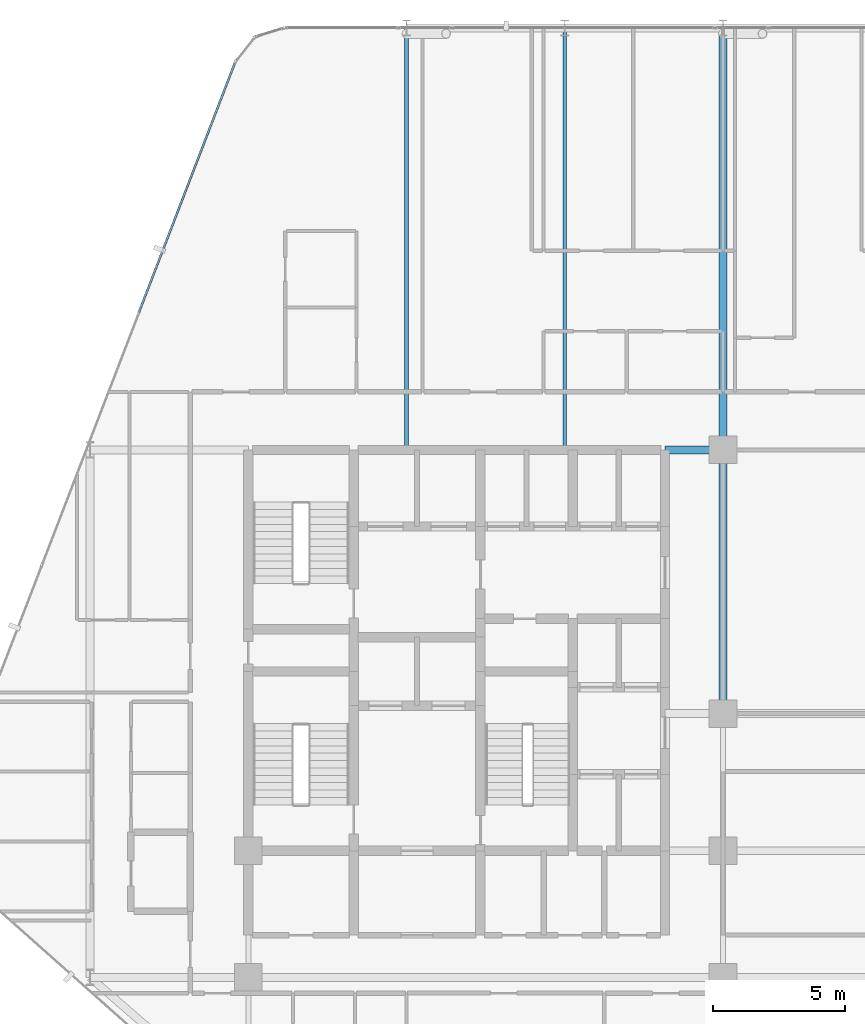
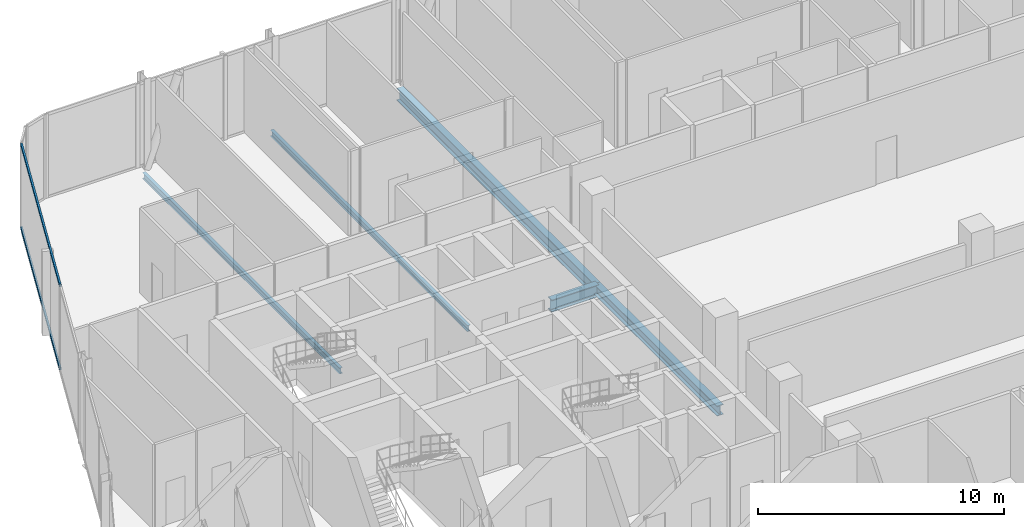
# One storey, part 13 of 30: 5 beams, 2 members, 1 element without a shape of its own.
"""IFC4 building model written with IfcOpenShell, lengths in metres."""

import ifcopenshell
import ifcopenshell.guid

model = None  # the IFC model being written
_history = None  # IfcOwnerHistory: only IFC2X3 demands one
_inside = {}  # id of a spatial element -> (the spatial element, [elements in it])
_under = {}  # id of a project, library or spatial element -> (it, [spatial elements below it])
_declared = {}  # id of a project -> (the project, [libraries it declares])
_typed = {}  # id of a type object -> (the type object, [elements of that type])
_made_of = {}  # id of a material, layer set ... -> (it, [elements and type objects made of it])


def new_model(schema):
    """Start an empty IFC model of exactly this schema.

    Asked for "IFC4X3", IfcOpenShell would pick the latest addendum, in which some entities
    have other attributes; the version numbers below select the first issue.
    IFC2X3 requires an IfcOwnerHistory on every rooted entity: one is made here for all.
    """
    global model, _history
    if schema == "IFC4X3":
        model = ifcopenshell.file(schema_version=(4, 3, 0, 0))
    else:
        model = ifcopenshell.file(schema=schema)
    _inside.clear()
    _under.clear()
    _declared.clear()
    _typed.clear()
    _made_of.clear()
    _history = None
    if model.schema == "IFC2X3":
        org = make("IfcOrganization", Name="unknown")
        user = make(
            "IfcPersonAndOrganization",
            ThePerson=make("IfcPerson", FamilyName="unknown"),
            TheOrganization=org,
        )
        app = make(
            "IfcApplication",
            ApplicationDeveloper=org,
            Version="unknown",
            ApplicationFullName="unknown",
            ApplicationIdentifier="unknown",
        )
        _history = make(
            "IfcOwnerHistory",
            OwningUser=user,
            OwningApplication=app,
            ChangeAction="ADDED",
            CreationDate=0,
        )
    return model


def make(cls, **values):
    """One entity of the class cls with the attributes given. An attribute that is None is left unset."""
    return model.create_entity(
        cls, **{name: value for name, value in values.items() if value is not None}
    )


def rooted(cls, **values):
    """An entity with a GlobalId (a new one), such as an element, a storey or a relation."""
    return make(cls, GlobalId=ifcopenshell.guid.new(), OwnerHistory=_history, **values)


def si_unit(unit_type, name, prefix=None):
    """IfcSIUnit, for example si_unit("LENGTHUNIT", "METRE", prefix="MILLI")."""
    return make("IfcSIUnit", UnitType=unit_type, Prefix=prefix, Name=name)


def assignment(units):
    """IfcUnitAssignment: the units of a project."""
    return None if units is None else make("IfcUnitAssignment", Units=units)


def point(xyz):
    """IfcCartesianPoint."""
    return None if xyz is None else make("IfcCartesianPoint", Coordinates=xyz)


def direction(xyz):
    """IfcDirection."""
    return None if xyz is None else make("IfcDirection", DirectionRatios=xyz)


def frame(location, z_axis=None, x_axis=None):
    """IfcAxis2Placement3D, a coordinate frame: its origin and axes. An axis left out is left unset."""
    return make(
        "IfcAxis2Placement3D",
        Location=point(location),
        Axis=direction(z_axis),
        RefDirection=direction(x_axis),
    )


def frame_2d(location, x_axis=None):
    """IfcAxis2Placement2D, a coordinate frame in the plane: its origin and x axis."""
    return make(
        "IfcAxis2Placement2D", Location=point(location), RefDirection=direction(x_axis)
    )


def origin():
    """The frame at (0, 0, 0) with its axes left unset."""
    return frame((0.0, 0.0, 0.0))


def origin_2d():
    """The frame at (0, 0) in the plane with its x axis left unset."""
    return frame_2d((0.0, 0.0))


def place(relative_to, where):
    """IfcLocalPlacement: puts the frame where relative to a parent placement (None: the world)."""
    return make(
        "IfcLocalPlacement", PlacementRelTo=relative_to, RelativePlacement=where
    )


def context(
    kind, dimensions, precision=None, world=None, true_north=None, identifier=None
):
    """IfcGeometricRepresentationContext, for example the 3D "Model" context."""
    return make(
        "IfcGeometricRepresentationContext",
        ContextIdentifier=identifier,
        ContextType=kind,
        CoordinateSpaceDimension=dimensions,
        Precision=precision,
        WorldCoordinateSystem=world,
        TrueNorth=true_north,
    )


def subcontext(parent, identifier, kind, view, scale=None):
    """IfcGeometricRepresentationSubContext, for example "Body" below "Model"."""
    return make(
        "IfcGeometricRepresentationSubContext",
        ContextIdentifier=identifier,
        ContextType=kind,
        ParentContext=parent,
        TargetScale=scale,
        TargetView=view,
    )


def project(units=None, contexts=None):
    """IfcProject with its units and contexts."""
    return rooted(
        "IfcProject",
        Name="project",
        RepresentationContexts=contexts,
        UnitsInContext=assignment(units),
    )


def spatial(cls, under=None, at=None, **own):
    """A site, building, storey or space (cls), placed at a placement, below another one or the project."""
    s = rooted(cls, ObjectPlacement=at, **own)
    if under is not None:
        _under.setdefault(under.id(), (under, []))[1].append(s)
    return s


def profile(cls, at=None, kind="AREA", **sizes):
    """A parametric profile (cls). Its sizes go by their IFC names, for example OverallWidth=200.0."""
    return make(cls, ProfileType=kind, Position=at, **sizes)


def hollow_rectangle(**sizes):
    """IfcRectangleHollowProfileDef."""
    return profile("IfcRectangleHollowProfileDef", **sizes)


def i_section(**sizes):
    """IfcIShapeProfileDef."""
    return profile("IfcIShapeProfileDef", **sizes)


def extrude(swept, where, along, depth):
    """IfcExtrudedAreaSolid: the profile swept, set in the frame where, extruded along a direction by depth."""
    return make(
        "IfcExtrudedAreaSolid",
        SweptArea=swept,
        Position=where,
        ExtrudedDirection=direction(along),
        Depth=depth,
    )


def shape(context_of_items, identifier, shape_type, items):
    """IfcShapeRepresentation: the items that make up one representation, for example the "Body"."""
    return make(
        "IfcShapeRepresentation",
        ContextOfItems=context_of_items,
        RepresentationIdentifier=identifier,
        RepresentationType=shape_type,
        Items=items,
    )


def material(Name=None, Category=None):
    """IfcMaterial."""
    return make("IfcMaterial", Name=Name, Category=Category)


def layer(
    of_material, thickness, ventilated=None, Name=None, Category=None, Priority=None
):
    """IfcMaterialLayer: one layer of a wall or slab, of a material (None: an air gap)."""
    return make(
        "IfcMaterialLayer",
        Material=of_material,
        LayerThickness=thickness,
        IsVentilated=ventilated,
        Name=Name,
        Category=Category,
        Priority=Priority,
    )


def layer_set(layers, Name=None):
    """IfcMaterialLayerSet."""
    return make("IfcMaterialLayerSet", MaterialLayers=layers, LayerSetName=Name)


def material_profile(
    of_material, cross_section, Name=None, Category=None, Priority=None
):
    """IfcMaterialProfile: a cross section and its material."""
    return make(
        "IfcMaterialProfile",
        Name=Name,
        Material=of_material,
        Profile=cross_section,
        Priority=Priority,
        Category=Category,
    )


def profile_set(profiles, Name=None, composite=None):
    """IfcMaterialProfileSet."""
    return make(
        "IfcMaterialProfileSet",
        Name=Name,
        MaterialProfiles=profiles,
        CompositeProfile=composite,
    )


def made_of(thing, what):
    """Note that an element or type object is made of a material, layer set ...; save() writes the relation."""
    if what is not None:
        _made_of.setdefault(what.id(), (what, []))[1].append(thing)
    return thing


def type_object(cls, material=None, **own):
    """A type object (cls), such as IfcWallType, which elements share."""
    return made_of(rooted(cls, **own), material)


def element(
    cls,
    number,
    at=None,
    inside=None,
    cuts=None,
    type_object=None,
    material=None,
    context=None,
    identifier="Body",
    shape_type=None,
    held_by="IfcProductDefinitionShape",
    body=None,
    shapes=None,
    **own,
):
    """One element of the class cls, such as IfcWall. Its Tag is "e" and its number.

    at: its placement. inside: the storey or other place that contains it. cuts: it is an
    opening in that element (IfcRelVoidsElement). A single representation is given by context,
    identifier, shape_type and body (its items); several are given by shapes. held_by: the class
    of the entity that holds the representations. save() writes the other relations.
    """
    e = rooted(cls, Tag="e%d" % number, ObjectPlacement=at, **own)
    if body is not None:
        shapes = [shape(context, identifier, shape_type, body)]
    if shapes is not None:
        e.Representation = make(held_by, Representations=shapes)
    if inside is not None:
        _inside.setdefault(inside.id(), (inside, []))[1].append(e)
    if cuts is not None:
        rooted(
            "IfcRelVoidsElement", RelatingBuildingElement=cuts, RelatedOpeningElement=e
        )
    if type_object is not None:
        _typed.setdefault(type_object.id(), (type_object, []))[1].append(e)
    return made_of(e, material)


def aggregate(whole, parts):
    """IfcRelAggregates: a whole, such as a stair, and the parts it consists of."""
    return rooted("IfcRelAggregates", RelatingObject=whole, RelatedObjects=parts)


def save(model, path):
    """Write the relations noted so far, then the file.

    IfcRelAggregates (storeys below a building ...), IfcRelContainedInSpatialStructure (elements
    in a storey), IfcRelDefinesByType, IfcRelAssociatesMaterial and IfcRelDeclares: one each for
    every whole, place, type object, material and project.
    """
    for whole, parts in _under.values():
        aggregate(whole, parts)
    for where, things in _inside.values():
        rooted(
            "IfcRelContainedInSpatialStructure",
            RelatedElements=things,
            RelatingStructure=where,
        )
    for kind, things in _typed.values():
        rooted("IfcRelDefinesByType", RelatedObjects=things, RelatingType=kind)
    for what, things in _made_of.values():
        rooted("IfcRelAssociatesMaterial", RelatedObjects=things, RelatingMaterial=what)
    for by, libraries in _declared.values():
        rooted("IfcRelDeclares", RelatingContext=by, RelatedDefinitions=libraries)
    model.write(path)


model = new_model("IFC4")

# Units and contexts
model_context = context("Model", 3, precision=1e-05, world=origin(), true_north=direction((0.0, 1.0)))
body_context = subcontext(model_context, "Body", "Model", "MODEL_VIEW")
ifc_project = project(units=[si_unit("LENGTHUNIT", "METRE"), si_unit("AREAUNIT", "SQUARE_METRE"), si_unit("VOLUMEUNIT", "CUBIC_METRE"), si_unit("PLANEANGLEUNIT", "RADIAN"), si_unit("MASSUNIT", "GRAM", prefix="KILO")], contexts=[model_context])

# Site, building, storey
site_placement = place(None, origin())
site = spatial("IfcSite", under=ifc_project, at=site_placement, CompositionType="ELEMENT")
building_placement = place(site_placement, origin())
building = spatial("IfcBuilding", under=site, at=building_placement, Name="Keshet Zoharim Tower", CompositionType="ELEMENT")
storey_placement = place(building_placement, frame((0.0, 0.0, 86.39990234375)))
storey = spatial("IfcBuildingStorey", under=building, at=storey_placement, Name="L20", CompositionType="ELEMENT", Elevation=86.39990234375)

# Beams
ifc_material_1 = material(Name="Steel S355", Category="steel")
ifc_material_profile_1 = material_profile(ifc_material_1, i_section(OverallWidth=0.300048828125, OverallDepth=0.60009765625, WebThickness=0.015380859375, FlangeThickness=0.030029296875, FilletRadius=0.027099609375, at=origin_2d()), Name="HEB600")
ifc_profile_set_1 = profile_set([ifc_material_profile_1], Name="Steel S355")
beam_type_1 = type_object("IfcBeamType", Name="BM-CLK-HB600", PredefinedType="BEAM", material=ifc_profile_set_1)
beam_1_placement = place(storey_placement, frame((30.800048828125, 37.89990234375, -0.614990234375), z_axis=(1.0, 0.0, 0.0), x_axis=(0.0, 1.0, 0.0)))
element("IfcBeam", 1, at=beam_1_placement, inside=storey, type_object=beam_type_1, Name="L20 Core Wall Link Girder 03", PredefinedType="BEAM", context=body_context, shape_type="SweptSolid", body=[
    extrude(i_section(OverallWidth=0.300048828125, OverallDepth=0.60009765625, WebThickness=0.015380859375, FlangeThickness=0.030029296875, FilletRadius=0.027099609375, at=origin_2d()), origin(), (0.0, 0.0, 1.0), 2.199951171875),
])
ifc_material_profile_2 = material_profile(ifc_material_1, i_section(OverallWidth=0.14990234375, OverallDepth=0.300048828125, WebThickness=0.007080078125, FlangeThickness=0.0107421875, FilletRadius=0.014892578125, at=origin_2d()), Name="IPE300")
ifc_profile_set_2 = profile_set([ifc_material_profile_2], Name="Steel S355")
beam_type_2 = type_object("IfcBeamType", Name="BM-JST-IP300", PredefinedType="JOIST", material=ifc_profile_set_2)
for number, where, z_axis, x_axis, name in (
    (2, (21.0, 37.89990234375, -0.46484375), (0.0, 1.0, 0.0), (-1.0, 0.0, 0.0), "L20 Secondary Floor Joist J-001"),
    (3, (27.0, 37.89990234375, -0.46484375), (0.0, 1.0, 0.0), (-1.0, 0.0, 0.0), "L20 Secondary Floor Joist J-002"),
):
    element("IfcBeam", number, at=place(storey_placement, frame(where, z_axis=z_axis, x_axis=x_axis)), inside=storey, type_object=beam_type_2, Name=name, PredefinedType="JOIST", context=body_context, shape_type="SweptSolid", body=[
        extrude(i_section(OverallWidth=0.14990234375, OverallDepth=0.300048828125, WebThickness=0.007080078125, FlangeThickness=0.0107421875, FilletRadius=0.014892578125, at=origin_2d()), origin(), (0.0, 0.0, 1.0), 16.0),
    ])
ifc_material_profile_3 = material_profile(ifc_material_1, i_section(OverallWidth=0.300048828125, OverallDepth=0.60009765625, WebThickness=0.015380859375, FlangeThickness=0.030029296875, FilletRadius=0.027099609375, at=origin_2d()), Name="HEB600")
ifc_profile_set_3 = profile_set([ifc_material_profile_3], Name="Steel S355")
beam_type_3 = type_object("IfcBeamType", Name="BM-LNG-HB600", PredefinedType="BEAM", material=ifc_profile_set_3)
beam_2_placement = place(storey_placement, frame((33.0, 37.89990234375, -0.614990234375), z_axis=(0.0, 1.0, 0.0), x_axis=(-1.0, 0.0, 0.0)))
element("IfcBeam", 4, at=beam_2_placement, inside=storey, type_object=beam_type_3, Name="L20 Primary Girder Y-011", PredefinedType="BEAM", context=body_context, shape_type="SweptSolid", body=[
    extrude(i_section(OverallWidth=0.300048828125, OverallDepth=0.60009765625, WebThickness=0.015380859375, FlangeThickness=0.030029296875, FilletRadius=0.027099609375, at=origin_2d()), origin(), (0.0, 0.0, 1.0), 16.0),
])
ifc_material_profile_4 = material_profile(ifc_material_1, i_section(OverallWidth=0.300048828125, OverallDepth=0.5, WebThickness=0.014404296875, FlangeThickness=0.028076171875, FilletRadius=0.027099609375, at=origin_2d()), Name="HEB500")
ifc_profile_set_4 = profile_set([ifc_material_profile_4], Name="Steel S355")
beam_type_4 = type_object("IfcBeamType", Name="BM-MED-HB500", PredefinedType="BEAM", material=ifc_profile_set_4)
beam_3_placement = place(storey_placement, frame((33.0, 27.89990234375, -0.56494140625), z_axis=(0.0, 1.0, 0.0), x_axis=(-1.0, 0.0, 0.0)))
element("IfcBeam", 5, at=beam_3_placement, inside=storey, type_object=beam_type_4, Name="L20 Primary Girder Y-010", PredefinedType="BEAM", context=body_context, shape_type="SweptSolid", body=[
    extrude(i_section(OverallWidth=0.300048828125, OverallDepth=0.5, WebThickness=0.014404296875, FlangeThickness=0.028076171875, FilletRadius=0.027099609375, at=origin_2d()), origin(), (0.0, 0.0, 1.0), 10.0),
])

# Curtain wall, members
ifc_material_2 = material(Name="Aluminium 6063-T6", Category="aluminium")
ifc_layer = layer(ifc_material_2, 0.159912109375)
ifc_layer_set = layer_set([ifc_layer], Name="Aluminium 6063-T6")
curtain_wall_type = type_object("IfcCurtainWallType", Name="CW-SYS-03", PredefinedType="NOTDEFINED", material=ifc_layer_set)
curtain_wall_placement = place(storey_placement, origin())
curtain_wall = element("IfcCurtainWall", 6, at=curtain_wall_placement, inside=storey, type_object=curtain_wall_type, Name="L20 Unitised Curtain Wall 10", PredefinedType="NOTDEFINED")
ifc_material_profile_5 = material_profile(ifc_material_2, hollow_rectangle(XDim=0.080078125, YDim=0.139892578125, WallThickness=0.00390625, at=origin_2d()), Name="TRN-80x140")
ifc_profile_set_5 = profile_set([ifc_material_profile_5], Name="Aluminium 6063-T6")
member_type = type_object("IfcMemberType", Name="CWT-T14", PredefinedType="USERDEFINED", material=ifc_profile_set_5)
member_1_placement = place(storey_placement, frame((10.849609375, 43.10888671875, 0.03515625), z_axis=(0.358985546764, 0.933343118694, 0.0), x_axis=(-0.933343118694, 0.358985546764, 0.0)))
member_1 = element("IfcMember", 7, at=member_1_placement, type_object=member_type, Name="CW-03 transom 3.1", ObjectType="TRANSOM", PredefinedType="USERDEFINED", context=body_context, shape_type="SweptSolid", body=[
    extrude(hollow_rectangle(XDim=0.080078125, YDim=0.139892578125, WallThickness=0.00390625, at=origin_2d()), origin(), (0.0, 0.0, 1.0), 10.118408203125),
])
member_2_placement = place(storey_placement, frame((10.849609375, 43.10888671875, 4.150146484375), z_axis=(0.358985546764, 0.933343118694, 0.0), x_axis=(-0.933343118694, 0.358985546764, 0.0)))
member_2 = element("IfcMember", 8, at=member_2_placement, type_object=member_type, Name="CW-03 transom 3.2", ObjectType="TRANSOM", PredefinedType="USERDEFINED", context=body_context, shape_type="SweptSolid", body=[
    extrude(hollow_rectangle(XDim=0.080078125, YDim=0.139892578125, WallThickness=0.00390625, at=origin_2d()), origin(), (0.0, 0.0, 1.0), 10.118408203125),
])
aggregate(curtain_wall, [member_1, member_2])

save(model, "model.ifc")
